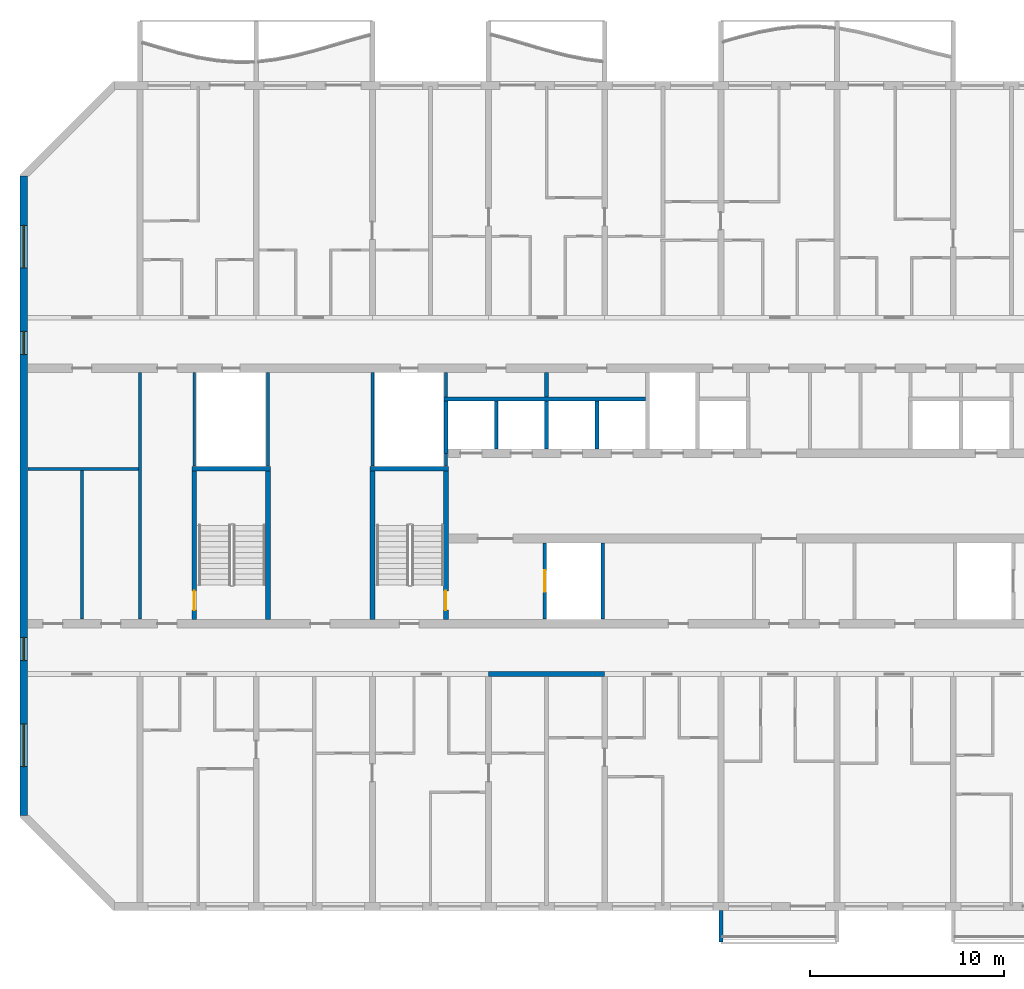
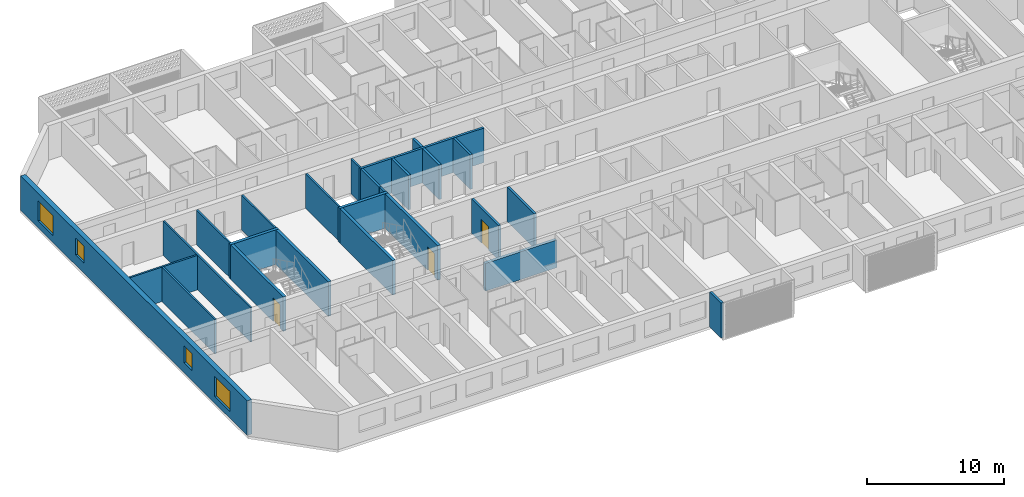
# One storey, part 3 of 31: 25 walls, 4 windows, 3 doors, 7 openings.
"""IFC4 building model written with IfcOpenShell, lengths in metres."""

from ifc_helpers import new_model, si_unit, direction, frame, frame_2d, origin, place, context, subcontext, project, spatial, polyline, rectangle, outline, extrude, source, transform, mapped, material, layer, layer_set, type_object, element, fill, save


model = new_model("IFC4")

# Units and contexts
model_context = context("Model", 3, precision=1e-05, world=origin(), true_north=direction((0.0, 1.0)))
body_context = subcontext(model_context, "Body", "Model", "MODEL_VIEW")
ifc_project = project(units=[si_unit("LENGTHUNIT", "METRE"), si_unit("AREAUNIT", "SQUARE_METRE"), si_unit("VOLUMEUNIT", "CUBIC_METRE"), si_unit("PLANEANGLEUNIT", "RADIAN"), si_unit("MASSUNIT", "GRAM", prefix="KILO")], contexts=[model_context])

# Site, building, storey
site_placement = place(None, origin())
site = spatial("IfcSite", under=ifc_project, at=site_placement, CompositionType="ELEMENT")
building_placement = place(site_placement, origin())
building = spatial("IfcBuilding", under=site, at=building_placement, Name="Poui Terraces", CompositionType="ELEMENT")
storey_placement = place(building_placement, frame((0.0, 0.0, 148.800048828125)))
storey = spatial("IfcBuildingStorey", under=building, at=storey_placement, Name="L41", CompositionType="ELEMENT", Elevation=148.800048828125)

# Walls
ifc_material_1 = material(Name="Fire-rated plasterboard wall")
ifc_layer_1 = layer(ifc_material_1, 0.14990234375)
ifc_layer_set_1 = layer_set([ifc_layer_1], Name="Fire-rated plasterboard wall")
wall_type_1 = type_object("IfcWallType", Name="CORRIDOR WALL 150", PredefinedType="PARTITIONING", material=ifc_layer_set_1)
wall_1_placement = place(storey_placement, frame((18.0, 14.8349609375, 0.0), z_axis=(0.0, 0.0, 1.0), x_axis=(0.0, 1.0, 0.0)))
element("IfcWall", 1, at=wall_1_placement, inside=storey, type_object=wall_type_1, Name="CORRIDOR WALL 150", PredefinedType="PARTITIONING", context=body_context, shape_type="SweptSolid", body=[
    extrude(rectangle(XDim=12.72998046875, YDim=0.14990234375, at=frame_2d((6.364990234375, 0.0))), origin(), (0.0, 0.0, 1.0), 3.070068359375),
])
ifc_material_2 = material(Name="Concrete 65 MPa", Category="concrete")
ifc_layer_2 = layer(ifc_material_2, 0.25)
ifc_layer_set_2 = layer_set([ifc_layer_2], Name="Concrete 65 MPa")
wall_type_2 = type_object("IfcWallType", Name="CORRIDOR WALL 250 65MPa", PredefinedType="SHEAR", material=ifc_layer_set_2)
wall_2_placement = place(storey_placement, frame((36.0, 12.0, 0.0), z_axis=(0.0, 0.0, 1.0), x_axis=(1.0, 0.0, 0.0)))
element("IfcWall", 2, at=wall_2_placement, inside=storey, type_object=wall_type_2, Name="CORRIDOR WALL LINE B BAY 5", PredefinedType="SHEAR", context=body_context, shape_type="SweptSolid", body=[
    extrude(rectangle(XDim=6.0, YDim=0.25, at=frame_2d((3.0, 0.0))), origin(), (0.0, 0.0, 1.0), 2.469970703125),
])

# Wall, openings, windows
ifc_layer_3 = layer(ifc_material_2, 0.39990234375)
ifc_layer_set_3 = layer_set([ifc_layer_3], Name="Concrete 65 MPa")
wall_type_3 = type_object("IfcWallType", Name="END WALL 400 65MPa", PredefinedType="SHEAR", material=ifc_layer_set_3)
wall_3_placement = place(storey_placement, frame((12.0, 4.682861328125, 0.0), z_axis=(0.0, 0.0, 1.0), x_axis=(0.0, 1.0, 0.0)))
wall_3 = element("IfcWall", 3, at=wall_3_placement, inside=storey, type_object=wall_type_3, Name="END WALL WEST", PredefinedType="SHEAR", context=body_context, shape_type="SweptSolid", body=[
    extrude(rectangle(XDim=33.034423828125, YDim=0.39990234375, at=frame_2d((16.51708984375, 0.0))), origin(), (0.0, 0.0, 1.0), 3.070068359375),
])
opening_1_placement = place(wall_3_placement, frame((23.817138671875, 0.0, 0.89990234375)))
opening_1 = element("IfcOpeningElement", 4, at=opening_1_placement, cuts=wall_3, Name="Opening W2", PredefinedType="OPENING", context=body_context, shape_type="SweptSolid", body=[
    extrude(rectangle(XDim=1.199951171875, YDim=1.5, at=frame_2d((0.60009765625, 0.75))), frame((0.0, 0.2099609375, 0.0), z_axis=(0.0, -1.0, 0.0), x_axis=(1.0, 0.0, 0.0)), (0.0, 0.0, 1.0), 0.419921875),
])
opening_2_placement = place(wall_3_placement, frame((8.01708984375, 0.0, 0.89990234375)))
opening_2 = element("IfcOpeningElement", 5, at=opening_2_placement, cuts=wall_3, Name="Opening W2", PredefinedType="OPENING", context=body_context, shape_type="SweptSolid", body=[
    extrude(rectangle(XDim=1.199951171875, YDim=1.5, at=frame_2d((0.60009765625, 0.75))), frame((0.0, 0.2099609375, 0.0), z_axis=(0.0, -1.0, 0.0), x_axis=(1.0, 0.0, 0.0)), (0.0, 0.0, 1.0), 0.419921875),
])
opening_3_placement = place(wall_3_placement, frame((28.29345703125, 0.0, 0.60009765625)))
opening_3 = element("IfcOpeningElement", 6, at=opening_3_placement, cuts=wall_3, Name="Opening W3", PredefinedType="OPENING", context=body_context, shape_type="SweptSolid", body=[
    extrude(rectangle(XDim=2.199951171875, YDim=1.800048828125, at=frame_2d((1.10009765625, 0.89990234375))), frame((0.0, 0.2099609375, 0.0), z_axis=(0.0, -1.0, 0.0), x_axis=(1.0, 0.0, 0.0)), (0.0, 0.0, 1.0), 0.419921875),
])
opening_4_placement = place(wall_3_placement, frame((2.541015625, 0.0, 0.60009765625)))
opening_4 = element("IfcOpeningElement", 7, at=opening_4_placement, cuts=wall_3, Name="Opening W3", PredefinedType="OPENING", context=body_context, shape_type="SweptSolid", body=[
    extrude(rectangle(XDim=2.199951171875, YDim=1.800048828125, at=frame_2d((1.10009765625, 0.89990234375))), frame((0.0, 0.2099609375, 0.0), z_axis=(0.0, -1.0, 0.0), x_axis=(1.0, 0.0, 0.0)), (0.0, 0.0, 1.0), 0.419921875),
])
ifc_material_3 = material(Name="Clear glass in aluminium frame", Category="aluminium")
window_type_1 = type_object("IfcWindowType", Name="WINDOW 1200X1500", PartitioningType="SINGLE_PANEL", PredefinedType="WINDOW", material=ifc_material_3)
window_1_placement = place(opening_1_placement, origin())
window_1 = element("IfcWindow", 8, at=window_1_placement, inside=storey, type_object=window_type_1, Name="W2 WINDOW", OverallHeight=1.5, OverallWidth=1.199951171875, PartitioningType="SINGLE_PANEL", PredefinedType="WINDOW", context=body_context, shape_type="SweptSolid", body=[
    extrude(rectangle(XDim=1.199951171875, YDim=1.5, at=frame_2d((0.60009765625, 0.75))), frame((0.0, 0.030029296875, 0.0), z_axis=(0.0, -1.0, 0.0), x_axis=(1.0, 0.0, 0.0)), (0.0, 0.0, 1.0), 0.06005859375),
])
fill(opening_1, window_1)
window_2_placement = place(opening_2_placement, origin())
window_2 = element("IfcWindow", 9, at=window_2_placement, inside=storey, type_object=window_type_1, Name="W2 WINDOW", OverallHeight=1.5, OverallWidth=1.199951171875, PartitioningType="SINGLE_PANEL", PredefinedType="WINDOW", context=body_context, shape_type="SweptSolid", body=[
    extrude(rectangle(XDim=1.199951171875, YDim=1.5, at=frame_2d((0.60009765625, 0.75))), frame((0.0, 0.030029296875, 0.0), z_axis=(0.0, -1.0, 0.0), x_axis=(1.0, 0.0, 0.0)), (0.0, 0.0, 1.0), 0.06005859375),
])
fill(opening_2, window_2)
window_type_2 = type_object("IfcWindowType", Name="WINDOW 2200X1800", PartitioningType="DOUBLE_PANEL_HORIZONTAL", PredefinedType="WINDOW", material=ifc_material_3)
window_3_placement = place(opening_3_placement, origin())
window_3 = element("IfcWindow", 10, at=window_3_placement, inside=storey, type_object=window_type_2, Name="W3 WINDOW", OverallHeight=1.800048828125, OverallWidth=2.199951171875, PartitioningType="DOUBLE_PANEL_HORIZONTAL", PredefinedType="WINDOW", context=body_context, shape_type="SweptSolid", body=[
    extrude(rectangle(XDim=2.199951171875, YDim=1.800048828125, at=frame_2d((1.10009765625, 0.89990234375))), frame((0.0, 0.030029296875, 0.0), z_axis=(0.0, -1.0, 0.0), x_axis=(1.0, 0.0, 0.0)), (0.0, 0.0, 1.0), 0.06005859375),
])
fill(opening_3, window_3)
window_4_placement = place(opening_4_placement, origin())
window_4 = element("IfcWindow", 11, at=window_4_placement, inside=storey, type_object=window_type_2, Name="W3 WINDOW", OverallHeight=1.800048828125, OverallWidth=2.199951171875, PartitioningType="DOUBLE_PANEL_HORIZONTAL", PredefinedType="WINDOW", context=body_context, shape_type="SweptSolid", body=[
    extrude(rectangle(XDim=2.199951171875, YDim=1.800048828125, at=frame_2d((1.10009765625, 0.89990234375))), frame((0.0, 0.030029296875, 0.0), z_axis=(0.0, -1.0, 0.0), x_axis=(1.0, 0.0, 0.0)), (0.0, 0.0, 1.0), 0.06005859375),
])
fill(opening_4, window_4)

# Walls
ifc_material_4 = material(Name="Plasterboard partition")
ifc_layer_4 = layer(ifc_material_4, 0.14990234375)
ifc_layer_set_4 = layer_set([ifc_layer_4], Name="Plasterboard partition")
wall_type_4 = type_object("IfcWallType", Name="PARTITION WALL 150", PredefinedType="PARTITIONING", material=ifc_layer_set_4)
wall_4_placement = place(storey_placement, frame((12.2099609375, 22.60009765625, 0.0), z_axis=(0.0, 0.0, 1.0), x_axis=(1.0, 0.0, 0.0)))
element("IfcWall", 12, at=wall_4_placement, inside=storey, type_object=wall_type_4, Name="PARTITION WALL 150", PredefinedType="PARTITIONING", context=body_context, shape_type="SweptSolid", body=[
    extrude(rectangle(XDim=5.715087890625, YDim=0.14990234375, at=frame_2d((2.857421875, 0.0))), origin(), (0.0, 0.0, 1.0), 3.070068359375),
])
wall_5_placement = place(storey_placement, frame((15.0, 14.8349609375, 0.0), z_axis=(0.0, 0.0, 1.0), x_axis=(0.0, 1.0, 0.0)))
element("IfcWall", 13, at=wall_5_placement, inside=storey, type_object=wall_type_4, Name="PARTITION WALL 150", PredefinedType="PARTITIONING", context=body_context, shape_type="SweptSolid", body=[
    extrude(rectangle(XDim=7.68994140625, YDim=0.14990234375, at=frame_2d((3.844970703125, 0.0))), origin(), (0.0, 0.0, 1.0), 3.070068359375),
])
ifc_material_5 = material(Name="Fire-rated masonry wall", Category="masonry")
ifc_layer_5 = layer(ifc_material_5, 0.199951171875)
ifc_layer_set_5 = layer_set([ifc_layer_5], Name="Fire-rated masonry wall")
wall_type_5 = type_object("IfcWallType", Name="PLANT ROOM WALL 200", PredefinedType="PARTITIONING", material=ifc_layer_set_5)
wall_6_placement = place(storey_placement, frame((39.0, 26.300048828125, 0.0), z_axis=(0.0, 0.0, 1.0), x_axis=(0.0, 1.0, 0.0)))
element("IfcWall", 14, at=wall_6_placement, inside=storey, type_object=wall_type_5, Name="PLANT ROOM WALL 200", PredefinedType="PARTITIONING", context=body_context, shape_type="SweptSolid", body=[
    extrude(rectangle(XDim=1.264892578125, YDim=0.199951171875, at=frame_2d((0.63232421875, 0.0))), origin(), (0.0, 0.0, 1.0), 3.070068359375),
])
ifc_material_6 = material(Name="Fire-rated plasterboard riser wall")
ifc_layer_6 = layer(ifc_material_6, 0.14990234375)
ifc_layer_set_6 = layer_set([ifc_layer_6], Name="Fire-rated plasterboard riser wall")
wall_type_6 = type_object("IfcWallType", Name="RISER WALL 150", PredefinedType="PARTITIONING", material=ifc_layer_set_6)
for number, where, z_axis, x_axis, name in (
    (15, (20.800048828125, 22.735107421875, 0.0), (0.0, 0.0, 1.0), (0.0, 1.0, 0.0), "RISER WALL 150"),
    (16, (24.60009765625, 22.735107421875, 0.0), (0.0, 0.0, 1.0), (0.0, 1.0, 0.0), "RISER WALL 150"),
    (17, (30.0, 22.735107421875, 0.0), (0.0, 0.0, 1.0), (0.0, 1.0, 0.0), "RISER WALL 150"),
):
    element("IfcWall", number, at=place(storey_placement, frame(where, z_axis=z_axis, x_axis=x_axis)), inside=storey, type_object=wall_type_6, Name=name, PredefinedType="PARTITIONING", context=body_context, shape_type="SweptSolid", body=[
        extrude(rectangle(XDim=4.829833984375, YDim=0.14990234375, at=frame_2d((2.4150390625, 0.0))), origin(), (0.0, 0.0, 1.0), 3.070068359375),
    ])
wall_7_placement = place(storey_placement, frame((33.800048828125, 22.735107421875, 0.0), z_axis=(0.0, 0.0, 1.0), x_axis=(0.0, 1.0, 0.0)))
element("IfcWall", 18, at=wall_7_placement, inside=storey, type_object=wall_type_6, Name="RISER WALL 150", PredefinedType="PARTITIONING", context=body_context, shape_type="SweptSolid", body=[
    extrude(rectangle(XDim=0.664794921875, YDim=0.14990234375, at=frame_2d((0.33251953125, 0.0))), origin(), (0.0, 0.0, 1.0), 3.070068359375),
])
wall_8_placement = place(storey_placement, frame((33.800048828125, 26.300048828125, 0.0), z_axis=(0.0, 0.0, 1.0), x_axis=(0.0, 1.0, 0.0)))
element("IfcWall", 19, at=wall_8_placement, inside=storey, type_object=wall_type_6, Name="RISER WALL 150", PredefinedType="PARTITIONING", context=body_context, shape_type="SweptSolid", body=[
    extrude(rectangle(XDim=1.264892578125, YDim=0.14990234375, at=frame_2d((0.63232421875, 0.0))), origin(), (0.0, 0.0, 1.0), 3.070068359375),
])
ifc_material_7 = material(Name="Fire-rated masonry shaft wall", Category="masonry")
ifc_layer_7 = layer(ifc_material_7, 0.199951171875)
ifc_layer_set_7 = layer_set([ifc_layer_7], Name="Fire-rated masonry shaft wall")
wall_type_7 = type_object("IfcWallType", Name="SHAFT WALL 200", PredefinedType="PARTITIONING", material=ifc_layer_set_7)
wall_9_placement = place(storey_placement, frame((33.699951171875, 26.199951171875, 0.0), z_axis=(0.0, 0.0, 1.0), x_axis=(1.0, 0.0, 0.0)))
element("IfcWall", 20, at=wall_9_placement, inside=storey, type_object=wall_type_7, Name="SHAFT WALL 200", PredefinedType="PARTITIONING", context=body_context, shape_type="SweptSolid", body=[
    extrude(rectangle(XDim=10.400146484375, YDim=0.199951171875, at=frame_2d((5.2001953125, 0.0))), origin(), (0.0, 0.0, 1.0), 3.070068359375),
])
wall_10_placement = place(storey_placement, frame((33.800048828125, 23.39990234375, 0.0), z_axis=(0.0, 0.0, 1.0), x_axis=(0.0, 1.0, 0.0)))
element("IfcWall", 21, at=wall_10_placement, inside=storey, type_object=wall_type_7, Name="SHAFT WALL 200", PredefinedType="PARTITIONING", context=body_context, shape_type="SweptSolid", body=[
    extrude(rectangle(XDim=2.7001953125, YDim=0.199951171875, at=frame_2d((1.35009765625, 0.0))), origin(), (0.0, 0.0, 1.0), 3.070068359375),
])
wall_11_placement = place(storey_placement, frame((36.39990234375, 23.635009765625, 0.0), z_axis=(0.0, 0.0, 1.0), x_axis=(0.0, 1.0, 0.0)))
element("IfcWall", 22, at=wall_11_placement, inside=storey, type_object=wall_type_7, Name="SHAFT WALL 200", PredefinedType="PARTITIONING", context=body_context, shape_type="SweptSolid", body=[
    extrude(rectangle(XDim=2.465087890625, YDim=0.199951171875, at=frame_2d((1.232421875, 0.0))), origin(), (0.0, 0.0, 1.0), 3.070068359375),
])

# Wall, opening, door
wall_12_placement = place(storey_placement, frame((38.89990234375, 14.8349609375, 0.0), z_axis=(0.0, 0.0, 1.0), x_axis=(0.0, 1.0, 0.0)))
wall_12 = element("IfcWall", 23, at=wall_12_placement, inside=storey, type_object=wall_type_7, Name="SHAFT WALL 200", PredefinedType="PARTITIONING", context=body_context, shape_type="SweptSolid", body=[
    extrude(rectangle(XDim=3.929931640625, YDim=0.199951171875, at=frame_2d((1.96484375, 0.0))), origin(), (0.0, 0.0, 1.0), 3.070068359375),
])
opening_5_placement = place(wall_12_placement, frame((1.4150390625, 0.0, 0.0)))
opening_5 = element("IfcOpeningElement", 24, at=opening_5_placement, cuts=wall_12, Name="Opening LD", PredefinedType="OPENING", context=body_context, shape_type="SweptSolid", body=[
    extrude(rectangle(XDim=1.10009765625, YDim=2.10009765625, at=frame_2d((0.550048828125, 1.050048828125))), frame((0.0, 0.10986328125, 0.0), z_axis=(0.0, -1.0, 0.0), x_axis=(1.0, 0.0, 0.0)), (0.0, 0.0, 1.0), 0.219970703125),
])
ifc_material_8 = material(Name="Stainless steel sliding door", Category="steel")
door_type_1 = type_object("IfcDoorType", Name="LIFT LANDING DOOR 1100 X 2100", OperationType="DOUBLE_DOOR_SLIDING", PredefinedType="DOOR", material=ifc_material_8)
door_1_placement = place(opening_5_placement, origin())
door_1 = element("IfcDoor", 25, at=door_1_placement, inside=storey, type_object=door_type_1, Name="LANDING DOOR", OperationType="DOUBLE_DOOR_SLIDING", OverallHeight=2.10009765625, OverallWidth=1.10009765625, PredefinedType="DOOR", context=body_context, shape_type="SweptSolid", body=[
    extrude(rectangle(XDim=1.10009765625, YDim=2.10009765625, at=frame_2d((0.550048828125, 1.050048828125))), frame((0.0, 0.02490234375, 0.0), z_axis=(0.0, -1.0, 0.0), x_axis=(1.0, 0.0, 0.0)), (0.0, 0.0, 1.0), 0.050048828125),
])
fill(opening_5, door_1)

# Walls
for number, where, z_axis, x_axis, name in (
    (26, (39.0, 23.635009765625, 0.0), (0.0, 0.0, 1.0), (0.0, 1.0, 0.0), "SHAFT WALL 200"),
    (27, (41.60009765625, 23.635009765625, 0.0), (0.0, 0.0, 1.0), (0.0, 1.0, 0.0), "SHAFT WALL 200"),
):
    element("IfcWall", number, at=place(storey_placement, frame(where, z_axis=z_axis, x_axis=x_axis)), inside=storey, type_object=wall_type_7, Name=name, PredefinedType="PARTITIONING", context=body_context, shape_type="SweptSolid", body=[
        extrude(rectangle(XDim=2.465087890625, YDim=0.199951171875, at=frame_2d((1.232421875, 0.0))), origin(), (0.0, 0.0, 1.0), 3.070068359375),
    ])
wall_13_placement = place(storey_placement, frame((41.89990234375, 14.8349609375, 0.0), z_axis=(0.0, 0.0, 1.0), x_axis=(0.0, 1.0, 0.0)))
element("IfcWall", 28, at=wall_13_placement, inside=storey, type_object=wall_type_7, Name="SHAFT WALL 200", PredefinedType="PARTITIONING", context=body_context, shape_type="SweptSolid", body=[
    extrude(rectangle(XDim=3.929931640625, YDim=0.199951171875, at=frame_2d((1.96484375, 0.0))), origin(), (0.0, 0.0, 1.0), 3.070068359375),
])
ifc_layer_8 = layer(ifc_material_2, 0.25)
ifc_layer_set_8 = layer_set([ifc_layer_8], Name="Concrete 65 MPa")
wall_type_8 = type_object("IfcWallType", Name="STAIR CORE WALL 250 65 MPA", PredefinedType="SOLIDWALL", material=ifc_layer_set_8)
wall_14_placement = place(storey_placement, frame((30.0, 14.824951171875, 0.0), z_axis=(0.0, 0.0, 1.0), x_axis=(0.0, 1.0, 0.0)))
element("IfcWall", 29, at=wall_14_placement, inside=storey, type_object=wall_type_8, Name="STAIR CORE WALL", PredefinedType="SOLIDWALL", context=body_context, shape_type="SweptSolid", body=[
    extrude(rectangle(XDim=7.650146484375, YDim=0.25, at=frame_2d((3.8251953125, 0.0))), origin(), (0.0, 0.0, 1.0), 3.070068359375),
])

# Wall, opening, door
wall_15_placement = place(storey_placement, frame((33.800048828125, 14.824951171875, 0.0), z_axis=(0.0, 0.0, 1.0), x_axis=(0.0, 1.0, 0.0)))
wall_15 = element("IfcWall", 30, at=wall_15_placement, inside=storey, type_object=wall_type_8, Name="STAIR CORE WALL", PredefinedType="SOLIDWALL", context=body_context, shape_type="SweptSolid", body=[
    extrude(rectangle(XDim=7.650146484375, YDim=0.25, at=frame_2d((3.8251953125, 0.0))), origin(), (0.0, 0.0, 1.0), 3.070068359375),
])
opening_6_placement = place(wall_15_placement, frame((0.47509765625, 0.0, 0.0)))
opening_6 = element("IfcOpeningElement", 31, at=opening_6_placement, cuts=wall_15, Name="Opening FD60S", PredefinedType="OPENING", context=body_context, shape_type="SweptSolid", body=[
    extrude(rectangle(XDim=1.0, YDim=2.10009765625, at=frame_2d((0.5, 1.050048828125))), frame((0.0, 0.135009765625, 0.0), z_axis=(0.0, -1.0, 0.0), x_axis=(1.0, 0.0, 0.0)), (0.0, 0.0, 1.0), 0.27001953125),
])
ifc_material_9 = material(Name="Steel fire door", Category="steel")
door_type_2 = type_object("IfcDoorType", Name="STAIR DOOR 1000 X 2100", OperationType="NOTDEFINED", PredefinedType="DOOR", material=ifc_material_9)
door_2_placement = place(opening_6_placement, origin())
door_2 = element("IfcDoor", 32, at=door_2_placement, inside=storey, type_object=door_type_2, Name="STAIR DOOR 122", OperationType="SINGLE_SWING_LEFT", OverallHeight=2.10009765625, OverallWidth=1.0, PredefinedType="DOOR", context=body_context, shape_type="SweptSolid", body=[
    extrude(rectangle(XDim=1.0, YDim=2.10009765625, at=frame_2d((0.5, 1.050048828125))), frame((0.0, 0.02490234375, 0.0), z_axis=(0.0, -1.0, 0.0), x_axis=(1.0, 0.0, 0.0)), (0.0, 0.0, 1.0), 0.050048828125),
])
fill(opening_6, door_2)

# Wall
wall_16_placement = place(storey_placement, frame((29.875, 22.60009765625, 0.0), z_axis=(0.0, 0.0, 1.0), x_axis=(1.0, 0.0, 0.0)))
element("IfcWall", 33, at=wall_16_placement, inside=storey, type_object=wall_type_8, Name="STAIR CORE WALL", PredefinedType="SOLIDWALL", context=body_context, shape_type="SweptSolid", body=[
    extrude(rectangle(XDim=4.050048828125, YDim=0.25, at=frame_2d((2.02490234375, 0.0))), origin(), (0.0, 0.0, 1.0), 3.070068359375),
])

# Wall, opening, door
wall_17_placement = place(storey_placement, frame((20.800048828125, 14.824951171875, 0.0), z_axis=(0.0, 0.0, 1.0), x_axis=(0.0, 1.0, 0.0)))
wall_17 = element("IfcWall", 34, at=wall_17_placement, inside=storey, type_object=wall_type_8, Name="STAIR CORE WALL", PredefinedType="SOLIDWALL", context=body_context, shape_type="SweptSolid", body=[
    extrude(rectangle(XDim=7.650146484375, YDim=0.25, at=frame_2d((3.8251953125, 0.0))), origin(), (0.0, 0.0, 1.0), 3.070068359375),
])
opening_7_placement = place(wall_17_placement, frame((0.47509765625, 0.0, 0.0)))
opening_7 = element("IfcOpeningElement", 35, at=opening_7_placement, cuts=wall_17, Name="Opening FD60S", PredefinedType="OPENING", context=body_context, shape_type="SweptSolid", body=[
    extrude(rectangle(XDim=1.0, YDim=2.10009765625, at=frame_2d((0.5, 1.050048828125))), frame((0.0, 0.135009765625, 0.0), z_axis=(0.0, -1.0, 0.0), x_axis=(1.0, 0.0, 0.0)), (0.0, 0.0, 1.0), 0.27001953125),
])
door_3_placement = place(opening_7_placement, frame((1.0, 0.0, 0.0), z_axis=(0.0, 0.0, 1.0), x_axis=(-1.0, 0.0, 0.0)))
door_3 = element("IfcDoor", 36, at=door_3_placement, inside=storey, type_object=door_type_2, Name="STAIR DOOR 136", OperationType="SINGLE_SWING_RIGHT", OverallHeight=2.10009765625, OverallWidth=1.0, PredefinedType="DOOR", context=body_context, shape_type="SweptSolid", body=[
    extrude(rectangle(XDim=1.0, YDim=2.10009765625, at=frame_2d((0.5, 1.050048828125))), frame((0.0, 0.02490234375, 0.0), z_axis=(0.0, -1.0, 0.0), x_axis=(1.0, 0.0, 0.0)), (0.0, 0.0, 1.0), 0.050048828125),
])
fill(opening_7, door_3)

# Walls
wall_18_placement = place(storey_placement, frame((24.60009765625, 14.824951171875, 0.0), z_axis=(0.0, 0.0, 1.0), x_axis=(0.0, 1.0, 0.0)))
element("IfcWall", 37, at=wall_18_placement, inside=storey, type_object=wall_type_8, Name="STAIR CORE WALL", PredefinedType="SOLIDWALL", context=body_context, shape_type="SweptSolid", body=[
    extrude(rectangle(XDim=7.650146484375, YDim=0.25, at=frame_2d((3.8251953125, 0.0))), origin(), (0.0, 0.0, 1.0), 3.070068359375),
])
wall_19_placement = place(storey_placement, frame((20.675048828125, 22.60009765625, 0.0), z_axis=(0.0, 0.0, 1.0), x_axis=(1.0, 0.0, 0.0)))
element("IfcWall", 38, at=wall_19_placement, inside=storey, type_object=wall_type_8, Name="STAIR CORE WALL", PredefinedType="SOLIDWALL", context=body_context, shape_type="SweptSolid", body=[
    extrude(rectangle(XDim=4.050048828125, YDim=0.25, at=frame_2d((2.02490234375, 0.0))), origin(), (0.0, 0.0, 1.0), 3.070068359375),
])
ifc_material_10 = material(Name="Precast concrete 40 MPa", Category="concrete")
ifc_layer_9 = layer(ifc_material_10, 0.199951171875)
ifc_layer_set_9 = layer_set([ifc_layer_9], Name="Precast concrete 40 MPa")
wall_type_9 = type_object("IfcWallType", Name="REAR FIN 200", PredefinedType="STANDARD", material=ifc_layer_set_9)
shared_shape = source(origin(), body_context, "Body", "SweptSolid", [
    extrude(outline(polyline([(0.0, 0.0), (0.2001953125, 0.0), (0.2001953125, 1.650146484375), (0.0, 1.650146484375), (0.0, 0.0)])), origin(), (0.0, 0.0, 1.0), 3.099853515625),
])
wall_20_placement = place(storey_placement, frame((47.89990234375, -1.85009765625, 0.0)))
element("IfcWall", 39, at=wall_20_placement, inside=storey, type_object=wall_type_9, Name="REAR FIN", PredefinedType="STANDARD", context=body_context, shape_type="MappedRepresentation", body=[
    mapped(shared_shape, transform((0.0, 0.0, 0.0))),
])

save(model, "model.ifc")
